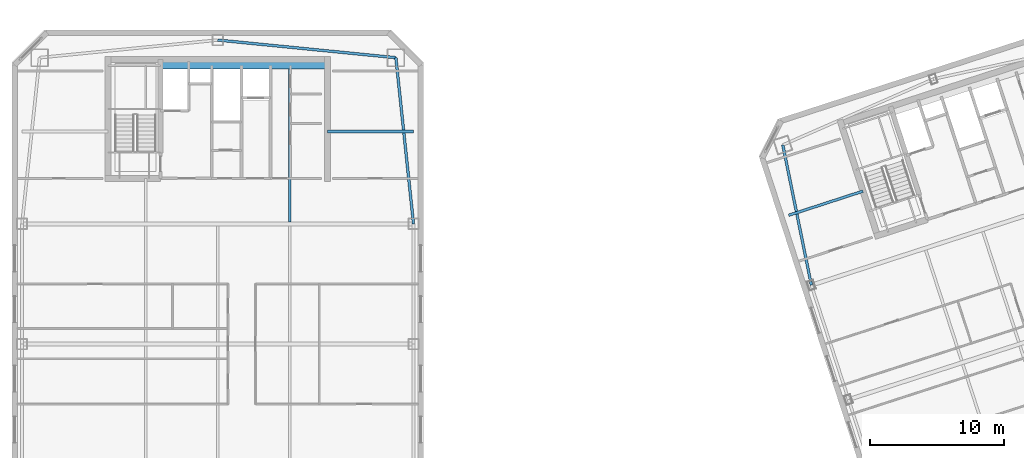
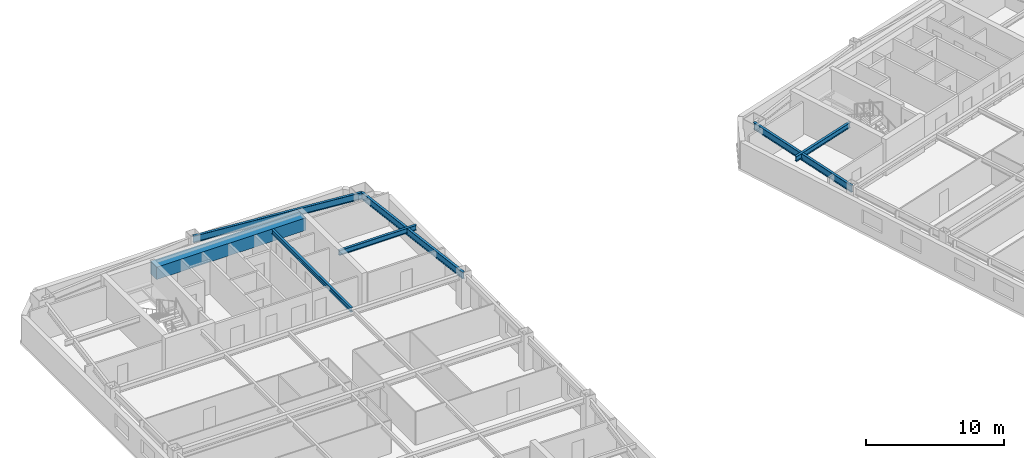
# One storey, part 7 of 20: 7 beams.
"""IFC4 building model written with IfcOpenShell, lengths in metres."""

from ifc_helpers import new_model, si_unit, direction, frame, origin, origin_2d, place, context, subcontext, project, spatial, rectangle, i_section, extrude, material, material_profile, profile_set, type_object, element, save


model = new_model("IFC4")

# Units and contexts
model_context = context("Model", 3, precision=1e-05, world=origin(), true_north=direction((0.0, 1.0)))
body_context = subcontext(model_context, "Body", "Model", "MODEL_VIEW")
ifc_project = project(units=[si_unit("LENGTHUNIT", "METRE"), si_unit("AREAUNIT", "SQUARE_METRE"), si_unit("VOLUMEUNIT", "CUBIC_METRE"), si_unit("PLANEANGLEUNIT", "RADIAN"), si_unit("MASSUNIT", "GRAM", prefix="KILO")], contexts=[model_context])

# Site, building, storey
site_placement = place(None, origin())
site = spatial("IfcSite", under=ifc_project, at=site_placement, CompositionType="ELEMENT")
building_placement = place(site_placement, origin())
building = spatial("IfcBuilding", under=site, at=building_placement, Name="Qiaolan Cultural Towers", CompositionType="ELEMENT")
storey_placement = place(building_placement, frame((0.0, 0.0, 244.0)))
storey = spatial("IfcBuildingStorey", under=building, at=storey_placement, Name="L66", CompositionType="ELEMENT", Elevation=244.0)

# Beams
ifc_material_1 = material(Name="Steel Q355B", Category="steel")
ifc_material_profile_1 = material_profile(ifc_material_1, i_section(OverallWidth=0.199951171875, OverallDepth=0.39990234375, WebThickness=0.008056640625, FlangeThickness=0.012939453125, at=origin_2d()), Name="HN400x200x8x13")
ifc_profile_set_1 = profile_set([ifc_material_profile_1], Name="Steel Q355B")
beam_type_1 = type_object("IfcBeamType", Name="BM-JST-HN400x200x8x13", PredefinedType="JOIST", material=ifc_profile_set_1)
beam_1_placement = place(storey_placement, frame((35.39990234375, 43.14990234375, 2.739990234375), z_axis=(0.0, 1.0, 0.0), x_axis=(-1.0, 0.0, 0.0)))
element("IfcBeam", 1, at=beam_1_placement, inside=storey, type_object=beam_type_1, Name="L66 T1 Secondary Floor Joist U3-4", PredefinedType="JOIST", context=body_context, shape_type="SweptSolid", body=[
    extrude(i_section(OverallWidth=0.199951171875, OverallDepth=0.39990234375, WebThickness=0.008056640625, FlangeThickness=0.012939453125, at=origin_2d()), origin(), (0.0, 0.0, 1.0), 11.4501953125),
])
ifc_material_2 = material(Name="Steel Q355B", Category="steel")
ifc_material_profile_2 = material_profile(ifc_material_2, i_section(OverallWidth=0.199951171875, OverallDepth=0.449951171875, WebThickness=0.009033203125, FlangeThickness=0.013916015625, at=origin_2d()), Name="HN450x200x9x14")
ifc_profile_set_2 = profile_set([ifc_material_profile_2], Name="Steel Q355B")
beam_type_2 = type_object("IfcBeamType", Name="BM-LNT-HN450x200x9x14", PredefinedType="LINTEL", material=ifc_profile_set_2)
beam_2_placement = place(storey_placement, frame((38.199951171875, 49.89990234375, 2.715087890625), z_axis=(1.0, 0.0, 0.0), x_axis=(0.0, 1.0, 0.0)))
element("IfcBeam", 2, at=beam_2_placement, inside=storey, type_object=beam_type_2, Name="L66 T1 Core Flank Tie Lintel EN", PredefinedType="LINTEL", context=body_context, shape_type="SweptSolid", body=[
    extrude(i_section(OverallWidth=0.199951171875, OverallDepth=0.449951171875, WebThickness=0.009033203125, FlangeThickness=0.013916015625, at=origin_2d()), origin(), (0.0, 0.0, 1.0), 6.449951171875),
])
beam_3_placement = place(storey_placement, frame((78.291259765625, 45.44189453125, 2.715087890625), z_axis=(-0.951051548326, -0.309032283793, 0.0), x_axis=(0.309032283793, -0.951051548326, 0.0)))
element("IfcBeam", 3, at=beam_3_placement, inside=storey, type_object=beam_type_2, Name="L66 T2 Core Flank Tie Lintel WN", PredefinedType="LINTEL", context=body_context, shape_type="SweptSolid", body=[
    extrude(i_section(OverallWidth=0.199951171875, OverallDepth=0.449951171875, WebThickness=0.009033203125, FlangeThickness=0.013916015625, at=origin_2d()), origin(), (0.0, 0.0, 1.0), 5.85009765625),
])
ifc_material_3 = material(Name="Concrete C50", Category="concrete")
ifc_material_profile_3 = material_profile(ifc_material_3, rectangle(XDim=0.89990234375, YDim=1.10009765625, at=origin_2d()), Name="RC900x1100")
ifc_profile_set_3 = profile_set([ifc_material_profile_3], Name="Concrete C50")
beam_type_3 = type_object("IfcBeamType", Name="BM-RC900x1100", PredefinedType="BEAM", material=ifc_profile_set_3)
beam_4_placement = place(storey_placement, frame((25.719970703125, 55.050048828125, 2.389892578125), z_axis=(1.0, 0.0, 0.0), x_axis=(0.0, 1.0, 0.0)))
element("IfcBeam", 4, at=beam_4_placement, inside=storey, type_object=beam_type_3, Name="L66 T1 Core Header Girder N", PredefinedType="BEAM", context=body_context, shape_type="SweptSolid", body=[
    extrude(rectangle(XDim=0.89990234375, YDim=1.10009765625, at=origin_2d()), origin(), (0.0, 0.0, 1.0), 12.47998046875),
])
ifc_material_4 = material(Name="Steel Q355B", Category="steel")
ifc_material_profile_4 = material_profile(ifc_material_4, i_section(OverallWidth=0.199951171875, OverallDepth=0.60009765625, WebThickness=0.010986328125, FlangeThickness=0.01708984375, at=origin_2d()), Name="HN600x200x11x17")
ifc_profile_set_4 = profile_set([ifc_material_profile_4], Name="Steel Q355B")
beam_type_4 = type_object("IfcBeamType", Name="BM-SPD-HN600x200x11x17", PredefinedType="SPANDREL", material=ifc_profile_set_4)
beam_5_placement = place(storey_placement, frame((44.64990234375, 43.0, 2.639892578125), z_axis=(-0.105587580773, 0.994410007384, 0.0), x_axis=(-0.994410007384, -0.105587580773, 0.0)))
element("IfcBeam", 5, at=beam_5_placement, inside=storey, type_object=beam_type_4, Name="L66 T1 Perimeter Spandrel Beam 6", PredefinedType="SPANDREL", context=body_context, shape_type="SweptSolid", body=[
    extrude(i_section(OverallWidth=0.199951171875, OverallDepth=0.60009765625, WebThickness=0.010986328125, FlangeThickness=0.01708984375, at=origin_2d()), origin(), (0.0, 0.0, 1.0), 12.499755859375),
])
beam_6_placement = place(storey_placement, frame((43.330078125, 55.429931640625, 2.639892578125), z_axis=(-0.995132371263, 0.098547266143, 0.0), x_axis=(-0.098547266143, -0.995132371263, 0.0)))
element("IfcBeam", 6, at=beam_6_placement, inside=storey, type_object=beam_type_4, Name="L66 T1 Perimeter Spandrel Beam 7", PredefinedType="SPANDREL", context=body_context, shape_type="SweptSolid", body=[
    extrude(i_section(OverallWidth=0.199951171875, OverallDepth=0.60009765625, WebThickness=0.010986328125, FlangeThickness=0.01708984375, at=origin_2d()), origin(), (0.0, 0.0, 1.0), 13.395263671875),
])
beam_7_placement = place(storey_placement, frame((72.2900390625, 48.896484375, 2.639892578125), z_axis=(0.199578538116, -0.979881833245, 0.0), x_axis=(0.979881833245, 0.199578538116, 0.0)))
element("IfcBeam", 7, at=beam_7_placement, inside=storey, type_object=beam_type_4, Name="L66 T2 Perimeter Spandrel Beam 9", PredefinedType="SPANDREL", context=body_context, shape_type="SweptSolid", body=[
    extrude(i_section(OverallWidth=0.199951171875, OverallDepth=0.60009765625, WebThickness=0.010986328125, FlangeThickness=0.01708984375, at=origin_2d()), origin(), (0.0, 0.0, 1.0), 10.70849609375),
])

save(model, "model.ifc")
